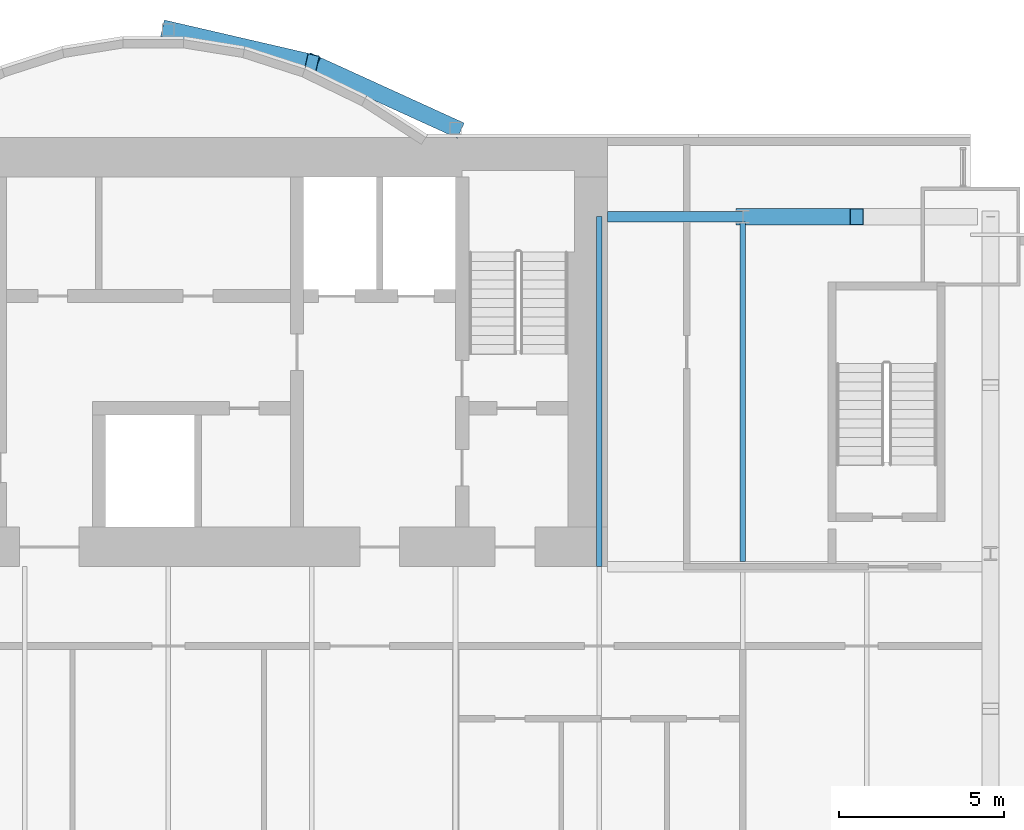
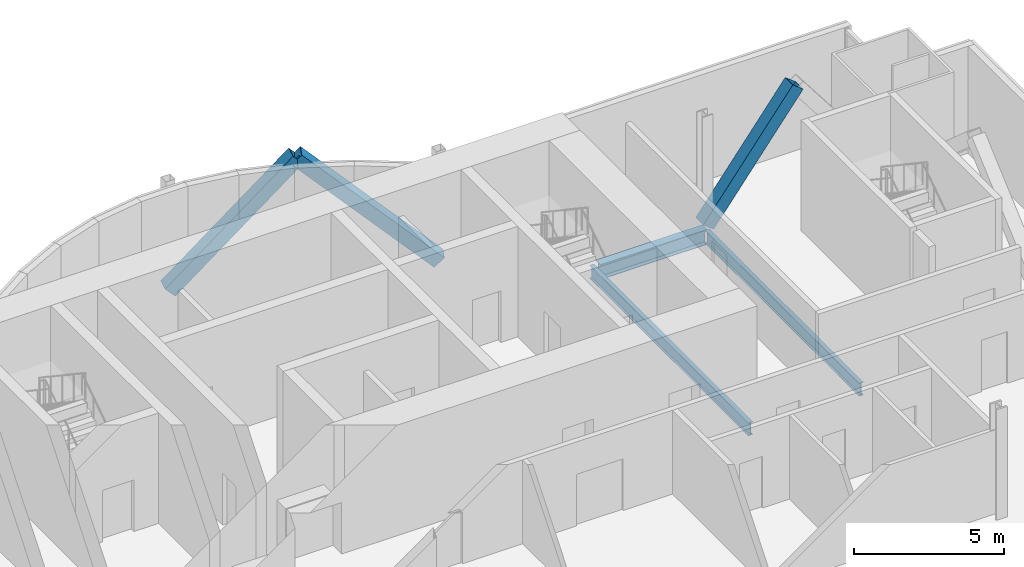
# One storey, part 11 of 21: 3 beams, 3 members.
"""IFC4 building model written with IfcOpenShell, lengths in metres."""

from ifc_helpers import new_model, si_unit, direction, frame, origin, origin_2d, place, context, subcontext, project, spatial, hollow_rectangle, i_section, extrude, material, material_profile, profile_set, type_object, element, save


model = new_model("IFC4")

# Units and contexts
model_context = context("Model", 3, precision=1e-05, world=origin(), true_north=direction((0.0, 1.0)))
body_context = subcontext(model_context, "Body", "Model", "MODEL_VIEW")
ifc_project = project(units=[si_unit("LENGTHUNIT", "METRE"), si_unit("AREAUNIT", "SQUARE_METRE"), si_unit("VOLUMEUNIT", "CUBIC_METRE"), si_unit("PLANEANGLEUNIT", "RADIAN"), si_unit("MASSUNIT", "GRAM", prefix="KILO")], contexts=[model_context])

# Site, building, storey
site_placement = place(None, origin())
site = spatial("IfcSite", under=ifc_project, at=site_placement, CompositionType="ELEMENT")
building_placement = place(site_placement, origin())
building = spatial("IfcBuilding", under=site, at=building_placement, Name="Bicima Exchange Tower", CompositionType="ELEMENT")
storey_placement = place(building_placement, frame((0.0, 0.0, 48.5)))
storey = spatial("IfcBuildingStorey", under=building, at=storey_placement, Name="L09", CompositionType="ELEMENT", Elevation=48.5)

# Beams
ifc_material_1 = material(Name="Steel ASTM A992 Gr 50", Category="steel")
ifc_material_profile_1 = material_profile(ifc_material_1, i_section(OverallWidth=0.165771484375, OverallDepth=0.5283203125, WebThickness=0.009765625, FlangeThickness=0.013671875, at=origin_2d()))
ifc_profile_set_1 = profile_set([ifc_material_profile_1], Name="Steel ASTM A992 Gr 50")
beam_type_1 = type_object("IfcBeamType", Name="Floor beam W21x50", PredefinedType="JOIST", material=ifc_profile_set_1)
beam_1_placement = place(storey_placement, frame((21.75, -2.39990234375, -0.414306640625), z_axis=(0.0, -1.0, 0.0), x_axis=(1.0, 0.0, 0.0)))
element("IfcBeam", 1, at=beam_1_placement, inside=storey, type_object=beam_type_1, Name="Floor beam", PredefinedType="JOIST", context=body_context, shape_type="SweptSolid", body=[
    extrude(i_section(OverallWidth=0.165771484375, OverallDepth=0.5283203125, WebThickness=0.009765625, FlangeThickness=0.013671875, at=origin_2d()), origin(), (0.0, 0.0, 1.0), 10.60009765625),
])
beam_2_placement = place(storey_placement, frame((26.10009765625, -2.5625, -0.414306640625), z_axis=(0.0, -1.0, 0.0), x_axis=(1.0, 0.0, 0.0)))
element("IfcBeam", 2, at=beam_2_placement, inside=storey, type_object=beam_type_1, Name="Floor beam", PredefinedType="JOIST", context=body_context, shape_type="SweptSolid", body=[
    extrude(i_section(OverallWidth=0.165771484375, OverallDepth=0.5283203125, WebThickness=0.009765625, FlangeThickness=0.013671875, at=origin_2d()), origin(), (0.0, 0.0, 1.0), 10.28515625),
])

# Members
ifc_material_2 = material(Name="Steel ASTM A572 Gr 50", Category="steel")
ifc_material_profile_2 = material_profile(ifc_material_2, hollow_rectangle(XDim=0.508056640625, YDim=0.508056640625, WallThickness=0.017822265625, at=origin_2d()))
ifc_profile_set_2 = profile_set([ifc_material_profile_2], Name="Steel ASTM A572 Gr 50")
member_type = type_object("IfcMemberType", Name="Mega brace HSS20x20x3/4", PredefinedType="BRACE", material=ifc_profile_set_2)
member_1_placement = place(storey_placement, frame((8.699951171875, 3.26904296875, 0.0), z_axis=(0.686212303743, -0.158786245837, 0.709858860848), x_axis=(0.225438503722, 0.974257399787, 0.0)))
element("IfcMember", 3, at=member_1_placement, inside=storey, type_object=member_type, Name="Mega brace rexo", PredefinedType="BRACE", context=body_context, shape_type="SweptSolid", body=[
    extrude(hollow_rectangle(XDim=0.508056640625, YDim=0.508056640625, WallThickness=0.017822265625, at=origin_2d()), origin(), (0.0, 0.0, 1.0), 6.33935546875),
])
member_2_placement = place(storey_placement, frame((17.39990234375, 0.278076171875, 0.0), z_axis=(-0.662507516739, 0.302231638101, 0.685375683254), x_axis=(-0.415045223819, -0.909800781592, 0.0)))
element("IfcMember", 4, at=member_2_placement, inside=storey, type_object=member_type, Name="Mega brace rexo", PredefinedType="BRACE", context=body_context, shape_type="SweptSolid", body=[
    extrude(hollow_rectangle(XDim=0.508056640625, YDim=0.508056640625, WallThickness=0.017822265625, at=origin_2d()), origin(), (0.0, 0.0, 1.0), 6.565673828125),
])
member_3_placement = place(storey_placement, frame((26.10009765625, -2.39990234375, 0.0), z_axis=(0.608426120198, 0.0, 0.793610519248), x_axis=(0.0, 1.0, 0.0)))
element("IfcMember", 5, at=member_3_placement, inside=storey, type_object=member_type, Name="Mega brace rear", PredefinedType="BRACE", context=body_context, shape_type="SweptSolid", body=[
    extrude(hollow_rectangle(XDim=0.508056640625, YDim=0.508056640625, WallThickness=0.017822265625, at=origin_2d()), origin(), (0.0, 0.0, 1.0), 5.670166015625),
])

# Beam
ifc_material_profile_3 = material_profile(ifc_material_1, i_section(OverallWidth=0.3251953125, OverallDepth=0.612060546875, WebThickness=0.0126953125, FlangeThickness=0.01904296875, at=origin_2d()))
ifc_profile_set_3 = profile_set([ifc_material_profile_3], Name="Steel ASTM A992 Gr 50")
beam_type_2 = type_object("IfcBeamType", Name="Rear girder W24x104", PredefinedType="BEAM", material=ifc_profile_set_3)
beam_3_placement = place(storey_placement, frame((22.0, -2.39990234375, -0.4560546875), z_axis=(1.0, 0.0, 0.0), x_axis=(0.0, 1.0, 0.0)))
element("IfcBeam", 6, at=beam_3_placement, inside=storey, type_object=beam_type_2, Name="Rear girder", PredefinedType="BEAM", context=body_context, shape_type="SweptSolid", body=[
    extrude(i_section(OverallWidth=0.3251953125, OverallDepth=0.612060546875, WebThickness=0.0126953125, FlangeThickness=0.01904296875, at=origin_2d()), origin(), (0.0, 0.0, 1.0), 4.10009765625),
])

save(model, "model.ifc")
